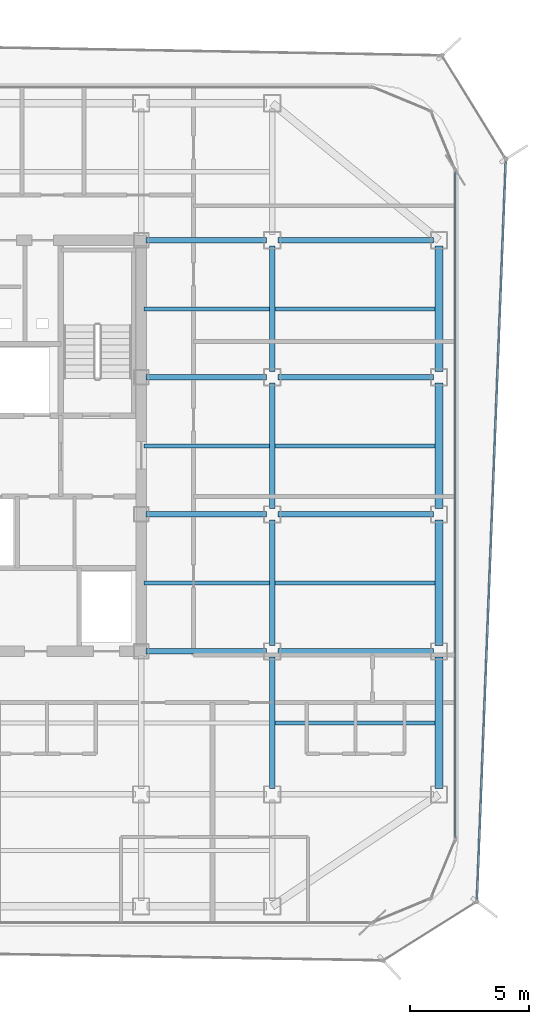
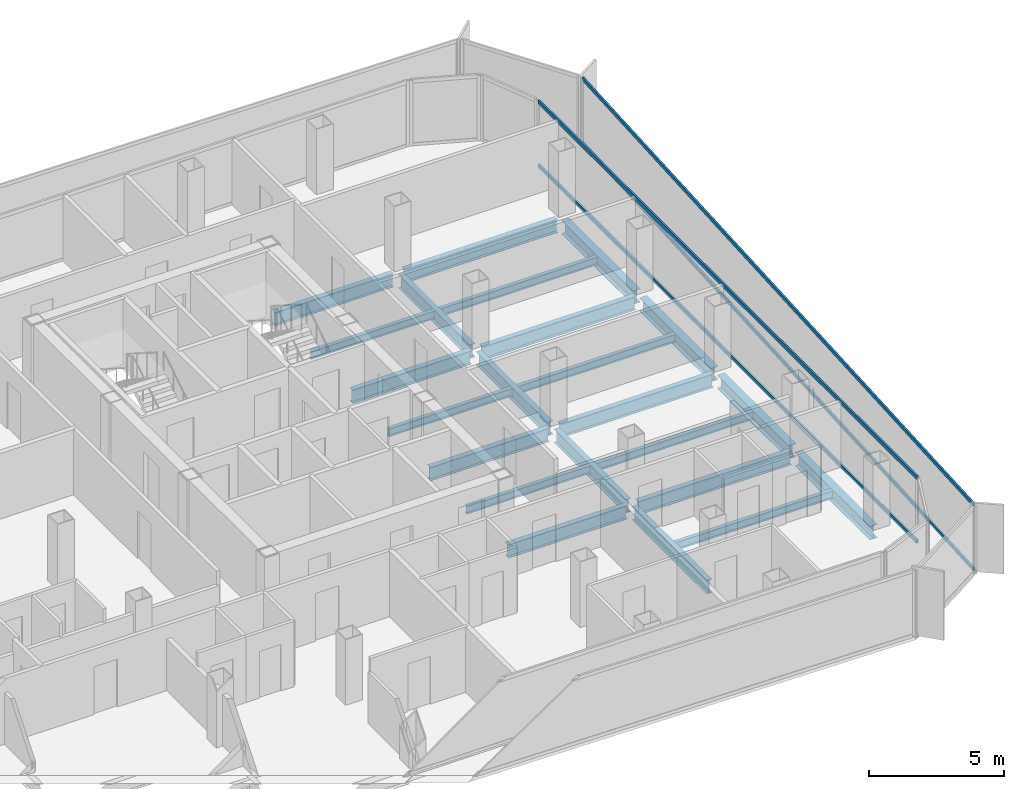
# One storey, part 5 of 16: 23 beams, 4 members, 2 elements without a shape of their own.
"""IFC4 building model written with IfcOpenShell, lengths in metres."""

from ifc_helpers import new_model, si_unit, direction, frame, origin, origin_2d, place, context, subcontext, project, spatial, hollow_rectangle, i_section, extrude, source, transform, mapped, material, layer, layer_set, material_profile, profile_set, type_object, element, aggregate, save


model = new_model("IFC4")

# Units and contexts
model_context = context("Model", 3, precision=1e-05, world=origin(), true_north=direction((0.0, 1.0)))
body_context = subcontext(model_context, "Body", "Model", "MODEL_VIEW")
ifc_project = project(units=[si_unit("LENGTHUNIT", "METRE"), si_unit("AREAUNIT", "SQUARE_METRE"), si_unit("VOLUMEUNIT", "CUBIC_METRE"), si_unit("PLANEANGLEUNIT", "RADIAN"), si_unit("MASSUNIT", "GRAM", prefix="KILO")], contexts=[model_context])

# Site, building, storey
site_placement = place(None, origin())
site = spatial("IfcSite", under=ifc_project, at=site_placement, CompositionType="ELEMENT")
building_placement = place(site_placement, origin())
building = spatial("IfcBuilding", under=site, at=building_placement, Name="Kolveth Station Tower", CompositionType="ELEMENT")
storey_placement = place(building_placement, frame((0.0, 0.0, 206.0)))
storey = spatial("IfcBuildingStorey", under=building, at=storey_placement, Name="L58", CompositionType="ELEMENT", Elevation=206.0)

# Beams
ifc_material_1 = material(Name="Steel S355", Category="steel")
ifc_material_profile_1 = material_profile(ifc_material_1, i_section(OverallWidth=0.323974609375, OverallDepth=0.611083984375, WebThickness=0.0126953125, FlangeThickness=0.01904296875, at=origin_2d()), Name="W610x155")
ifc_profile_set_1 = profile_set([ifc_material_profile_1], Name="Steel S355")
beam_type_1 = type_object("IfcBeamType", Name="Beam_SP2", PredefinedType="SPANDREL", material=ifc_profile_set_1)
shared_shape_1 = source(origin(), body_context, "Body", "SweptSolid", [
    extrude(i_section(OverallWidth=0.323974609375, OverallDepth=0.611083984375, WebThickness=0.0126953125, FlangeThickness=0.01904296875, at=origin_2d()), origin(), (0.0, 0.0, 1.0), 5.52001953125),
])
beam_1_placement = place(storey_placement, frame((41.0, 5.739990234375, -0.555419921875), z_axis=(0.0, 1.0, 0.0), x_axis=(-1.0, 0.0, 0.0)))
element("IfcBeam", 1, at=beam_1_placement, inside=storey, type_object=beam_type_1, Name="L58 Perimeter Spandrel BM-L58-PE-1", PredefinedType="SPANDREL", context=body_context, shape_type="MappedRepresentation", body=[
    mapped(shared_shape_1, transform((0.0, 0.0, 0.0), x_axis=(1.0, 0.0, 0.0), y_axis=(0.0, 1.0, 0.0), z_axis=(0.0, 0.0, 1.0), scale=1.0)),
])
shared_shape_2 = source(origin(), body_context, "Body", "SweptSolid", [
    extrude(i_section(OverallWidth=0.323974609375, OverallDepth=0.611083984375, WebThickness=0.0126953125, FlangeThickness=0.01904296875, at=origin_2d()), origin(), (0.0, 0.0, 1.0), 5.27001953125),
])
for number, where, z_axis, x_axis, name in (
    (2, (41.0, 11.739990234375, -0.555419921875), (0.0, 1.0, 0.0), (-1.0, 0.0, 0.0), "L58 Perimeter Spandrel BM-L58-PE-2"),
    (3, (41.0, 17.489990234375, -0.555419921875), (0.0, 1.0, 0.0), (-1.0, 0.0, 0.0), "L58 Perimeter Spandrel BM-L58-PE-3"),
    (4, (41.0, 23.239990234375, -0.555419921875), (0.0, 1.0, 0.0), (-1.0, 0.0, 0.0), "L58 Perimeter Spandrel BM-L58-PE-4"),
):
    element("IfcBeam", number, at=place(storey_placement, frame(where, z_axis=z_axis, x_axis=x_axis)), inside=storey, type_object=beam_type_1, Name=name, PredefinedType="SPANDREL", context=body_context, shape_type="MappedRepresentation", body=[
        mapped(shared_shape_2, transform((0.0, 0.0, 0.0), x_axis=(1.0, 0.0, 0.0), y_axis=(0.0, 1.0, 0.0), z_axis=(0.0, 0.0, 1.0), scale=1.0)),
    ])
ifc_material_profile_2 = material_profile(ifc_material_1, i_section(OverallWidth=0.22900390625, OverallDepth=0.612060546875, WebThickness=0.011962890625, FlangeThickness=0.01953125, at=origin_2d()), Name="W610x125")
ifc_profile_set_2 = profile_set([ifc_material_profile_2], Name="Steel S355")
beam_type_2 = type_object("IfcBeamType", Name="Beam_B5", PredefinedType="BEAM", material=ifc_profile_set_2)
shared_shape_3 = source(origin(), body_context, "Body", "SweptSolid", [
    extrude(i_section(OverallWidth=0.22900390625, OverallDepth=0.612060546875, WebThickness=0.011962890625, FlangeThickness=0.01953125, at=origin_2d()), origin(), (0.0, 0.0, 1.0), 6.52001953125),
])
for number, where, z_axis, x_axis, name in (
    (5, (34.239990234375, 11.5, -0.555908203125), (1.0, 0.0, 0.0), (0.0, 1.0, 0.0), "L58 Primary Girder BM-L58-GY115-6"),
    (6, (34.239990234375, 17.25, -0.555908203125), (1.0, 0.0, 0.0), (0.0, 1.0, 0.0), "L58 Primary Girder BM-L58-GY172-6"),
    (7, (34.239990234375, 23.0, -0.555908203125), (1.0, 0.0, 0.0), (0.0, 1.0, 0.0), "L58 Primary Girder BM-L58-GY230-6"),
    (8, (34.239990234375, 28.75, -0.555908203125), (1.0, 0.0, 0.0), (0.0, 1.0, 0.0), "L58 Primary Girder BM-L58-GY287-6"),
):
    element("IfcBeam", number, at=place(storey_placement, frame(where, z_axis=z_axis, x_axis=x_axis)), inside=storey, type_object=beam_type_2, Name=name, PredefinedType="BEAM", context=body_context, shape_type="MappedRepresentation", body=[
        mapped(shared_shape_3, transform((0.0, 0.0, 0.0), x_axis=(1.0, 0.0, 0.0), y_axis=(0.0, 1.0, 0.0), z_axis=(0.0, 0.0, 1.0), scale=1.0)),
    ])
shared_shape_4 = source(origin(), body_context, "Body", "SweptSolid", [
    extrude(i_section(OverallWidth=0.22900390625, OverallDepth=0.612060546875, WebThickness=0.011962890625, FlangeThickness=0.01953125, at=origin_2d()), origin(), (0.0, 0.0, 1.0), 5.06005859375),
])
for number, where, z_axis, x_axis, name in (
    (9, (28.699951171875, 11.5, -0.555908203125), (1.0, 0.0, 0.0), (0.0, 1.0, 0.0), "L58 Primary Girder BM-L58-GY115-5"),
    (10, (28.699951171875, 17.25, -0.555908203125), (1.0, 0.0, 0.0), (0.0, 1.0, 0.0), "L58 Primary Girder BM-L58-GY172-5"),
    (11, (28.699951171875, 23.0, -0.555908203125), (1.0, 0.0, 0.0), (0.0, 1.0, 0.0), "L58 Primary Girder BM-L58-GY230-5"),
    (12, (28.699951171875, 28.75, -0.555908203125), (1.0, 0.0, 0.0), (0.0, 1.0, 0.0), "L58 Primary Girder BM-L58-GY287-5"),
):
    element("IfcBeam", number, at=place(storey_placement, frame(where, z_axis=z_axis, x_axis=x_axis)), inside=storey, type_object=beam_type_2, Name=name, PredefinedType="BEAM", context=body_context, shape_type="MappedRepresentation", body=[
        mapped(shared_shape_4, transform((0.0, 0.0, 0.0), x_axis=(1.0, 0.0, 0.0), y_axis=(0.0, 1.0, 0.0), z_axis=(0.0, 0.0, 1.0), scale=1.0)),
    ])
shared_shape_5 = source(origin(), body_context, "Body", "SweptSolid", [
    extrude(i_section(OverallWidth=0.22900390625, OverallDepth=0.612060546875, WebThickness=0.011962890625, FlangeThickness=0.01953125, at=origin_2d()), origin(), (0.0, 0.0, 1.0), 5.52001953125),
])
beam_2_placement = place(storey_placement, frame((34.0, 5.739990234375, -0.555908203125), z_axis=(0.0, 1.0, 0.0), x_axis=(-1.0, 0.0, 0.0)))
element("IfcBeam", 13, at=beam_2_placement, inside=storey, type_object=beam_type_2, Name="L58 Primary Girder BM-L58-GX340-2", PredefinedType="BEAM", context=body_context, shape_type="MappedRepresentation", body=[
    mapped(shared_shape_5, transform((0.0, 0.0, 0.0), x_axis=(1.0, 0.0, 0.0), y_axis=(0.0, 1.0, 0.0), z_axis=(0.0, 0.0, 1.0), scale=1.0)),
])
shared_shape_6 = source(origin(), body_context, "Body", "SweptSolid", [
    extrude(i_section(OverallWidth=0.22900390625, OverallDepth=0.612060546875, WebThickness=0.011962890625, FlangeThickness=0.01953125, at=origin_2d()), origin(), (0.0, 0.0, 1.0), 5.27001953125),
])
for number, where, z_axis, x_axis, name in (
    (14, (34.0, 11.739990234375, -0.555908203125), (0.0, 1.0, 0.0), (-1.0, 0.0, 0.0), "L58 Primary Girder BM-L58-GX340-3"),
    (15, (34.0, 17.489990234375, -0.555908203125), (0.0, 1.0, 0.0), (-1.0, 0.0, 0.0), "L58 Primary Girder BM-L58-GX340-4"),
    (16, (34.0, 23.239990234375, -0.555908203125), (0.0, 1.0, 0.0), (-1.0, 0.0, 0.0), "L58 Primary Girder BM-L58-GX340-5"),
):
    element("IfcBeam", number, at=place(storey_placement, frame(where, z_axis=z_axis, x_axis=x_axis)), inside=storey, type_object=beam_type_2, Name=name, PredefinedType="BEAM", context=body_context, shape_type="MappedRepresentation", body=[
        mapped(shared_shape_6, transform((0.0, 0.0, 0.0), x_axis=(1.0, 0.0, 0.0), y_axis=(0.0, 1.0, 0.0), z_axis=(0.0, 0.0, 1.0), scale=1.0)),
    ])
ifc_material_profile_3 = material_profile(ifc_material_1, i_section(OverallWidth=0.1708984375, OverallDepth=0.35205078125, WebThickness=0.0068359375, FlangeThickness=0.009765625, at=origin_2d()), Name="W360x44")
ifc_profile_set_3 = profile_set([ifc_material_profile_3], Name="Steel S355")
beam_type_3 = type_object("IfcBeamType", Name="Beam_J2", PredefinedType="JOIST", material=ifc_profile_set_3)
shared_shape_7 = source(origin(), body_context, "Body", "SweptSolid", [
    extrude(i_section(OverallWidth=0.1708984375, OverallDepth=0.35205078125, WebThickness=0.0068359375, FlangeThickness=0.009765625, at=origin_2d()), origin(), (0.0, 0.0, 1.0), 5.27490234375),
])
for number, where, z_axis, x_axis, name in (
    (17, (28.612548828125, 14.375, -0.426025390625), (1.0, 0.0, 0.0), (0.0, 1.0, 0.0), "L58 Secondary Joist JST-L58-5-3"),
    (18, (28.612548828125, 20.125, -0.426025390625), (1.0, 0.0, 0.0), (0.0, 1.0, 0.0), "L58 Secondary Joist JST-L58-5-4"),
    (19, (28.612548828125, 25.875, -0.426025390625), (1.0, 0.0, 0.0), (0.0, 1.0, 0.0), "L58 Secondary Joist JST-L58-5-5"),
):
    element("IfcBeam", number, at=place(storey_placement, frame(where, z_axis=z_axis, x_axis=x_axis)), inside=storey, type_object=beam_type_3, Name=name, PredefinedType="JOIST", context=body_context, shape_type="MappedRepresentation", body=[
        mapped(shared_shape_7, transform((0.0, 0.0, 0.0), x_axis=(1.0, 0.0, 0.0), y_axis=(0.0, 1.0, 0.0), z_axis=(0.0, 0.0, 1.0), scale=1.0)),
    ])
shared_shape_8 = source(origin(), body_context, "Body", "SweptSolid", [
    extrude(i_section(OverallWidth=0.1708984375, OverallDepth=0.35205078125, WebThickness=0.0068359375, FlangeThickness=0.009765625, at=origin_2d()), origin(), (0.0, 0.0, 1.0), 6.7275390625),
])
for number, where, z_axis, x_axis, name in (
    (20, (34.112548828125, 8.5, -0.426025390625), (1.0, 0.0, 0.0), (0.0, 1.0, 0.0), "L58 Secondary Joist JST-L58-6-2"),
    (21, (34.112548828125, 14.375, -0.426025390625), (1.0, 0.0, 0.0), (0.0, 1.0, 0.0), "L58 Secondary Joist JST-L58-6-3"),
    (22, (34.112548828125, 20.125, -0.426025390625), (1.0, 0.0, 0.0), (0.0, 1.0, 0.0), "L58 Secondary Joist JST-L58-6-4"),
    (23, (34.112548828125, 25.875, -0.426025390625), (1.0, 0.0, 0.0), (0.0, 1.0, 0.0), "L58 Secondary Joist JST-L58-6-5"),
):
    element("IfcBeam", number, at=place(storey_placement, frame(where, z_axis=z_axis, x_axis=x_axis)), inside=storey, type_object=beam_type_3, Name=name, PredefinedType="JOIST", context=body_context, shape_type="MappedRepresentation", body=[
        mapped(shared_shape_8, transform((0.0, 0.0, 0.0), x_axis=(1.0, 0.0, 0.0), y_axis=(0.0, 1.0, 0.0), z_axis=(0.0, 0.0, 1.0), scale=1.0)),
    ])

# Curtain wall, members
ifc_material_2 = material(Name="Aluminium 6063-T6 and low-E dark glass", Category="aluminium")
ifc_layer_1 = layer(ifc_material_2, 0.18994140625)
ifc_layer_set_1 = layer_set([ifc_layer_1], Name="Aluminium 6063-T6 and low-E dark glass")
curtain_wall_type_1 = type_object("IfcCurtainWallType", Name="CurtainWall_CW-Z2", PredefinedType="NOTDEFINED", material=ifc_layer_set_1)
curtain_wall_1_placement = place(storey_placement, origin())
curtain_wall_1 = element("IfcCurtainWall", 24, at=curtain_wall_1_placement, inside=storey, type_object=curtain_wall_type_1, Name="L58 Inner Thermal Curtain Wall 3", PredefinedType="NOTDEFINED")
ifc_material_3 = material(Name="Black anodized aluminium 6063-T6", Category="aluminium")
ifc_material_profile_4 = material_profile(ifc_material_3, hollow_rectangle(XDim=0.080078125, YDim=0.169921875, WallThickness=0.0048828125, at=origin_2d()), Name="ALU-80x170x5")
ifc_profile_set_4 = profile_set([ifc_material_profile_4], Name="Black anodized aluminium 6063-T6")
member_type_1 = type_object("IfcMemberType", Name="Transom_TR2", PredefinedType="USERDEFINED", material=ifc_profile_set_4)
shared_shape_9 = source(origin(), body_context, "Body", "SweptSolid", [
    extrude(hollow_rectangle(XDim=0.080078125, YDim=0.169921875, WallThickness=0.0048828125, at=origin_2d()), origin(), (0.0, 0.0, 1.0), 27.940185546875),
])
member_1_placement = place(storey_placement, frame((41.679931640625, 3.679931640625, 0.0400390625), z_axis=(0.0, 1.0, 0.0), x_axis=(-1.0, 0.0, 0.0)))
member_1 = element("IfcMember", 25, at=member_1_placement, type_object=member_type_1, Name="CW-Z2 transom 1.1", ObjectType="TRANSOM", PredefinedType="USERDEFINED", context=body_context, shape_type="MappedRepresentation", body=[
    mapped(shared_shape_9, transform((0.0, 0.0, 0.0), x_axis=(1.0, 0.0, 0.0), y_axis=(0.0, 1.0, 0.0), z_axis=(0.0, 0.0, 1.0), scale=1.0)),
])
member_2_placement = place(storey_placement, frame((41.679931640625, 3.679931640625, 2.909912109375), z_axis=(0.0, 1.0, 0.0), x_axis=(-1.0, 0.0, 0.0)))
member_2 = element("IfcMember", 26, at=member_2_placement, type_object=member_type_1, Name="CW-Z2 transom 1.2", ObjectType="TRANSOM", PredefinedType="USERDEFINED", context=body_context, shape_type="MappedRepresentation", body=[
    mapped(shared_shape_9, transform((0.0, 0.0, 0.0), x_axis=(1.0, 0.0, 0.0), y_axis=(0.0, 1.0, 0.0), z_axis=(0.0, 0.0, 1.0), scale=1.0)),
])
aggregate(curtain_wall_1, [member_1, member_2])

ifc_material_4 = material(Name="Black anodized aluminium 6063-T6 and dark solar glass", Category="aluminium")
ifc_layer_2 = layer(ifc_material_4, 0.159912109375)
ifc_layer_set_2 = layer_set([ifc_layer_2], Name="Black anodized aluminium 6063-T6 and dark solar glass")
curtain_wall_type_2 = type_object("IfcCurtainWallType", Name="OUTER SKIN CW-OS", PredefinedType="NOTDEFINED", material=ifc_layer_set_2)
curtain_wall_2_placement = place(storey_placement, origin())
curtain_wall_2 = element("IfcCurtainWall", 27, at=curtain_wall_2_placement, inside=storey, type_object=curtain_wall_type_2, Name="L58 Outer Ventilated Skin Curtain Wall 2", PredefinedType="NOTDEFINED")
ifc_material_profile_5 = material_profile(ifc_material_3, hollow_rectangle(XDim=0.080078125, YDim=0.14990234375, WallThickness=0.0048828125, at=origin_2d()), Name="ALU-80x150x5")
ifc_profile_set_5 = profile_set([ifc_material_profile_5], Name="Black anodized aluminium 6063-T6")
member_type_2 = type_object("IfcMemberType", Name="Transom_TR-OS", PredefinedType="USERDEFINED", material=ifc_profile_set_5)
shared_shape_10 = source(origin(), body_context, "Body", "SweptSolid", [
    extrude(hollow_rectangle(XDim=0.080078125, YDim=0.14990234375, WallThickness=0.0048828125, at=origin_2d()), origin(), (0.0, 0.0, 1.0), 30.999755859375),
])
member_3_placement = place(storey_placement, frame((42.591552734375, 1.088623046875, 0.0400390625), z_axis=(0.039047107339, 0.999237370903, 0.0), x_axis=(-0.999237370903, 0.039047107339, 0.0)))
member_3 = element("IfcMember", 28, at=member_3_placement, type_object=member_type_2, Name="CW-OS transom 1.1", ObjectType="TRANSOM", PredefinedType="USERDEFINED", context=body_context, shape_type="MappedRepresentation", body=[
    mapped(shared_shape_10, transform((0.0, 0.0, 0.0), x_axis=(1.0, 0.0, 0.0), y_axis=(0.0, 1.0, 0.0), z_axis=(0.0, 0.0, 1.0), scale=1.0)),
])
member_4_placement = place(storey_placement, frame((42.591552734375, 1.088623046875, 2.949951171875), z_axis=(0.039047107339, 0.999237370903, 0.0), x_axis=(-0.999237370903, 0.039047107339, 0.0)))
member_4 = element("IfcMember", 29, at=member_4_placement, type_object=member_type_2, Name="CW-OS transom 1.2", ObjectType="TRANSOM", PredefinedType="USERDEFINED", context=body_context, shape_type="MappedRepresentation", body=[
    mapped(shared_shape_10, transform((0.0, 0.0, 0.0), x_axis=(1.0, 0.0, 0.0), y_axis=(0.0, 1.0, 0.0), z_axis=(0.0, 0.0, 1.0), scale=1.0)),
])
aggregate(curtain_wall_2, [member_3, member_4])

save(model, "model.ifc")
